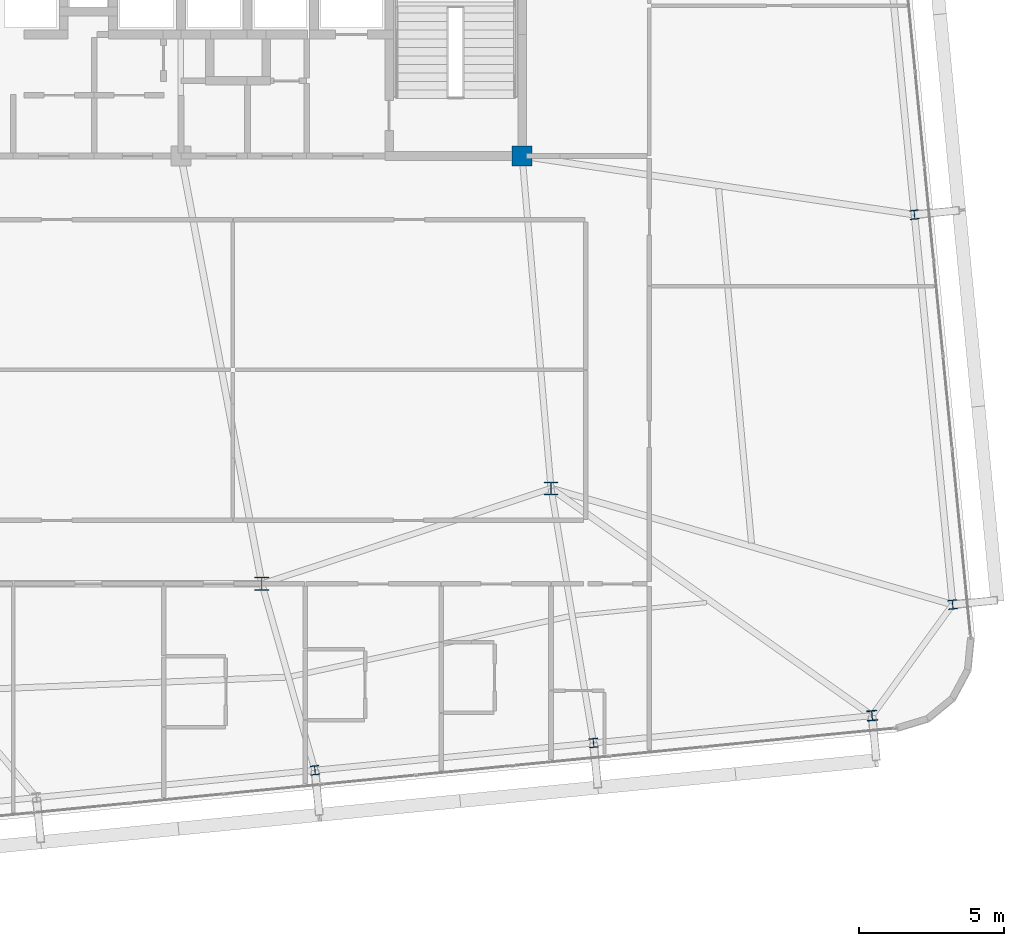
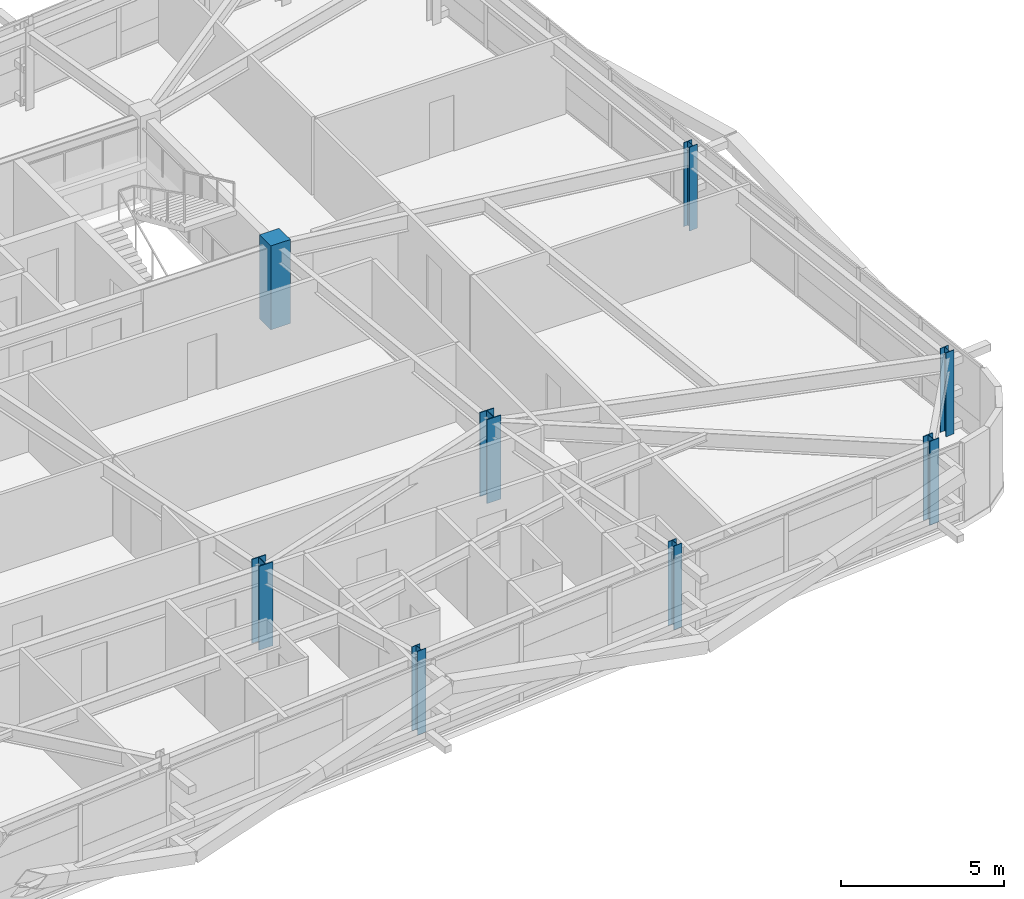
# One storey, part 2 of 54: 8 columns.
"""IFC4 building model written with IfcOpenShell, lengths in metres."""

from ifc_helpers import new_model, si_unit, direction, frame, origin, origin_2d, place, context, subcontext, project, spatial, rectangle, i_section, extrude, source, transform, mapped, material, material_profile, profile_set, type_object, element, save


model = new_model("IFC4")

# Units and contexts
model_context = context("Model", 3, precision=1e-05, world=origin(), true_north=direction((0.0, 1.0)))
body_context = subcontext(model_context, "Body", "Model", "MODEL_VIEW")
ifc_project = project(units=[si_unit("LENGTHUNIT", "METRE"), si_unit("AREAUNIT", "SQUARE_METRE"), si_unit("VOLUMEUNIT", "CUBIC_METRE"), si_unit("PLANEANGLEUNIT", "RADIAN"), si_unit("MASSUNIT", "GRAM", prefix="KILO")], contexts=[model_context])

# Site, building, storey
site_placement = place(None, origin())
site = spatial("IfcSite", under=ifc_project, at=site_placement, CompositionType="ELEMENT")
building_placement = place(site_placement, origin())
building = spatial("IfcBuilding", under=site, at=building_placement, Name="Taldren Reach Tower", CompositionType="ELEMENT")
storey_placement = place(building_placement, frame((0.0, 0.0, 99.75)))
storey = spatial("IfcBuildingStorey", under=building, at=storey_placement, Name="L30", CompositionType="ELEMENT", Elevation=99.75)

# Columns
ifc_material_1 = material(Name="Steel Gr 350 (350PLUS)", Category="steel")
ifc_material_profile_1 = material_profile(ifc_material_1, i_section(OverallWidth=0.5, OverallDepth=0.464111328125, WebThickness=0.02197265625, FlangeThickness=0.033935546875, at=origin_2d()), Name="500WC340")
ifc_profile_set_1 = profile_set([ifc_material_profile_1], Name="Steel Gr 350 (350PLUS)")
column_type_1 = type_object("IfcColumnType", Name="COL-WC500B", PredefinedType="COLUMN", material=ifc_profile_set_1)
shared_shape_1 = source(origin(), body_context, "Body", "SweptSolid", [
    extrude(i_section(OverallWidth=0.5, OverallDepth=0.464111328125, WebThickness=0.02197265625, FlangeThickness=0.033935546875, at=origin_2d()), origin(), (0.0, 0.0, 1.0), 3.14990234375),
])
for number, where, z_axis, x_axis, name in (
    (1, (42.0, 9.199951171875, 0.0), (0.0, 0.0, 1.0), (1.0, 0.0, 0.0), "Mega column MC-PJE L30"),
    (2, (52.0, 12.5, 0.0), (0.0, 0.0, 1.0), (1.0, 0.0, 0.0), "Mega column MC-SE L30"),
):
    element("IfcColumn", number, at=place(storey_placement, frame(where, z_axis=z_axis, x_axis=x_axis)), inside=storey, type_object=column_type_1, Name=name, PredefinedType="COLUMN", context=body_context, shape_type="MappedRepresentation", body=[
        mapped(shared_shape_1, transform((0.0, 0.0, 0.0), scale=1.0)),
    ])
ifc_material_2 = material(Name="Concrete S65 (65 MPa)", Category="concrete")
ifc_material_profile_2 = material_profile(ifc_material_2, rectangle(XDim=0.699951171875, YDim=0.699951171875, at=origin_2d()), Name="RC-700x700")
ifc_profile_set_2 = profile_set([ifc_material_profile_2], Name="Concrete S65 (65 MPa)")
column_type_2 = type_object("IfcColumnType", Name="COL-RC700", PredefinedType="COLUMN", material=ifc_profile_set_2)
shared_shape_2 = source(origin(), body_context, "Body", "SweptSolid", [
    extrude(rectangle(XDim=0.699951171875, YDim=0.699951171875, at=origin_2d()), origin(), (0.0, 0.0, 1.0), 3.14990234375),
])
column_1_placement = place(storey_placement, frame((51.0, 24.0, 0.0), z_axis=(0.0, 0.0, 1.0), x_axis=(1.0, 0.0, 0.0)))
element("IfcColumn", 3, at=column_1_placement, inside=storey, type_object=column_type_2, Name="Mega column MC-C4 L30", PredefinedType="COLUMN", context=body_context, shape_type="MappedRepresentation", body=[
    mapped(shared_shape_2, transform((0.0, 0.0, 0.0), scale=1.0)),
])
ifc_material_profile_3 = material_profile(ifc_material_1, i_section(OverallWidth=0.35009765625, OverallDepth=0.35595703125, WebThickness=0.01806640625, FlangeThickness=0.028076171875, at=origin_2d()), Name="350WC197")
ifc_profile_set_3 = profile_set([ifc_material_profile_3], Name="Steel Gr 350 (350PLUS)")
column_type_3 = type_object("IfcColumnType", Name="COL-WC350", PredefinedType="COLUMN", material=ifc_profile_set_3)
shared_shape_3 = source(origin(), body_context, "Body", "SweptSolid", [
    extrude(i_section(OverallWidth=0.35009765625, OverallDepth=0.35595703125, WebThickness=0.01806640625, FlangeThickness=0.028076171875, at=origin_2d()), origin(), (0.0, 0.0, 1.0), 3.14990234375),
])
column_2_placement = place(storey_placement, frame((63.103271484375, 4.64306640625, 0.0), z_axis=(0.0, 0.0, 1.0), x_axis=(0.995227399982, 0.097582899759, 0.0)))
element("IfcColumn", 4, at=column_2_placement, inside=storey, type_object=column_type_3, Name="Block B2 perimeter column S6 L30", PredefinedType="COLUMN", context=body_context, shape_type="MappedRepresentation", body=[
    mapped(shared_shape_3, transform((0.0, 0.0, 0.0), scale=1.0)),
])
ifc_material_profile_4 = material_profile(ifc_material_1, i_section(OverallWidth=0.306884765625, OverallDepth=0.31494140625, WebThickness=0.011962890625, FlangeThickness=0.018798828125, at=origin_2d()), Name="310UC118")
ifc_profile_set_4 = profile_set([ifc_material_profile_4], Name="Steel Gr 350 (350PLUS)")
column_type_4 = type_object("IfcColumnType", Name="COL-UC310B", PredefinedType="COLUMN", material=ifc_profile_set_4)
shared_shape_4 = source(origin(), body_context, "Body", "SweptSolid", [
    extrude(i_section(OverallWidth=0.306884765625, OverallDepth=0.31494140625, WebThickness=0.011962890625, FlangeThickness=0.018798828125, at=origin_2d()), origin(), (0.0, 0.0, 1.0), 3.14990234375),
])
for number, where, z_axis, x_axis, name in (
    (5, (43.83544921875, 2.75390625, 0.0), (0.0, 0.0, 1.0), (0.995227399982, 0.097582899759, 0.0), "Block B2 perimeter column S4 L30"),
    (6, (53.469482421875, 3.698486328125, 0.0), (0.0, 0.0, 1.0), (0.995227399982, 0.097582899759, 0.0), "Block B2 perimeter column S5 L30"),
    (7, (65.8916015625, 8.483642578125, 0.0), (0.0, 0.0, 1.0), (0.995227399982, 0.097582899759, 0.0), "Block B2 perimeter column E1 L30"),
    (8, (64.569580078125, 21.968994140625, 0.0), (0.0, 0.0, 1.0), (0.995227399982, 0.097582899759, 0.0), "Block B2 perimeter column E2 L30"),
):
    element("IfcColumn", number, at=place(storey_placement, frame(where, z_axis=z_axis, x_axis=x_axis)), inside=storey, type_object=column_type_4, Name=name, PredefinedType="COLUMN", context=body_context, shape_type="MappedRepresentation", body=[
        mapped(shared_shape_4, transform((0.0, 0.0, 0.0), scale=1.0)),
    ])

save(model, "model.ifc")
